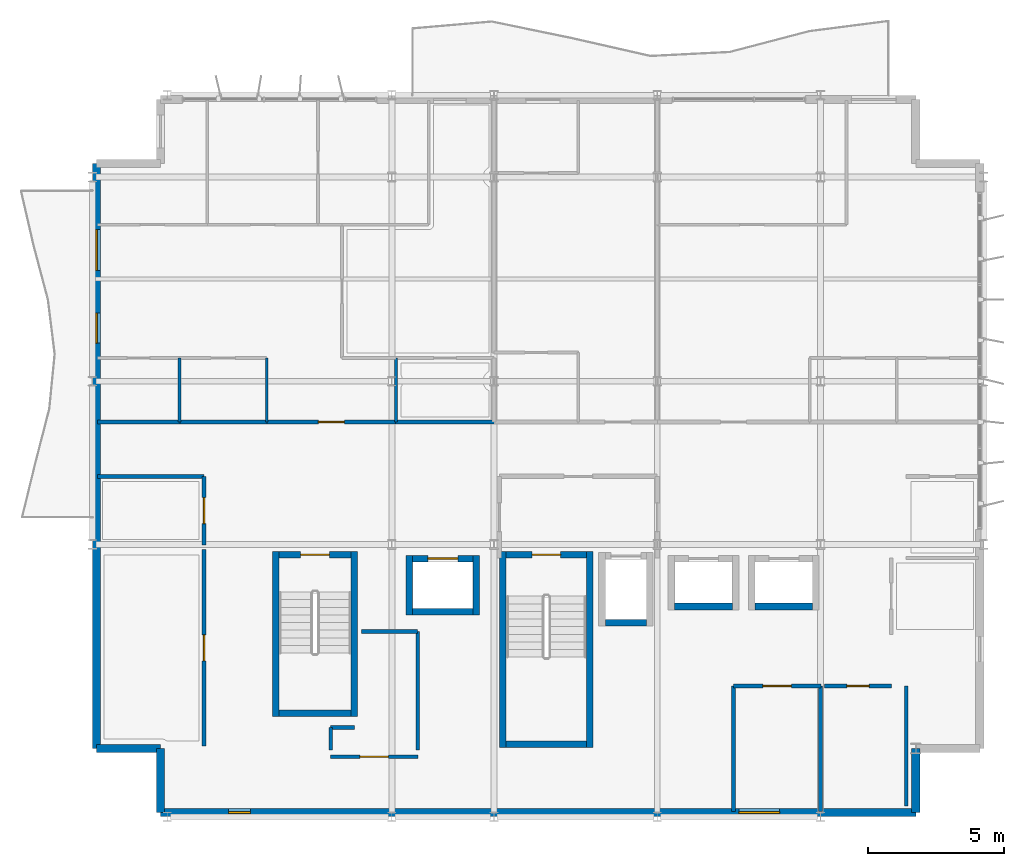
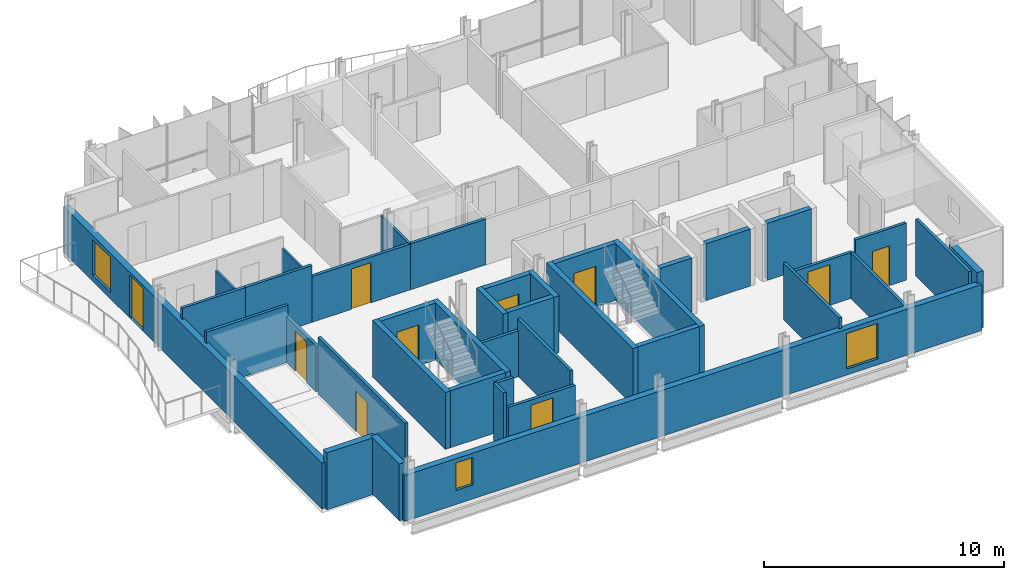
# One storey, part 8 of 13: 40 walls, 10 doors, 3 windows, 13 openings.
"""IFC4 building model written with IfcOpenShell, lengths in metres."""

from ifc_helpers import new_model, si_unit, direction, frame, frame_2d, origin, place, context, subcontext, project, spatial, rectangle, extrude, material, layer, layer_set, type_object, element, fill, save


model = new_model("IFC4")

# Units and contexts
model_context = context("Model", 3, precision=1e-05, world=origin(), true_north=direction((0.0, 1.0)))
body_context = subcontext(model_context, "Body", "Model", "MODEL_VIEW")
ifc_project = project(units=[si_unit("LENGTHUNIT", "METRE"), si_unit("AREAUNIT", "SQUARE_METRE"), si_unit("VOLUMEUNIT", "CUBIC_METRE"), si_unit("PLANEANGLEUNIT", "RADIAN"), si_unit("MASSUNIT", "GRAM", prefix="KILO")], contexts=[model_context])

# Site, building, storey
site_placement = place(None, origin())
site = spatial("IfcSite", under=ifc_project, at=site_placement, CompositionType="ELEMENT")
building_placement = place(site_placement, origin())
building = spatial("IfcBuilding", under=site, at=building_placement, Name="Brevholm Reach", CompositionType="ELEMENT")
storey_placement = place(building_placement, frame((0.0, 0.0, 224.199951171875)))
storey = spatial("IfcBuildingStorey", under=building, at=storey_placement, Name="L68", CompositionType="ELEMENT", Elevation=224.199951171875)

# Walls
ifc_material_1 = material(Name="Concrete C45/55", Category="concrete")
ifc_layer_1 = layer(ifc_material_1, 0.239990234375)
ifc_layer_set_1 = layer_set([ifc_layer_1], Name="Concrete C45/55")
wall_type_1 = type_object("IfcWallType", Name="WAL-COR-240", PredefinedType="SHEAR", material=ifc_layer_set_1)
for number, where, z_axis, x_axis, name in (
    (1, (42.330078125, 2.5400390625, 0.0), (0.0, 0.0, 1.0), (0.0, 1.0, 0.0), "L68 Escape Stair ST-2 Core Wall W"),
    (2, (45.52001953125, 2.5400390625, 0.0), (0.0, 0.0, 1.0), (0.0, 1.0, 0.0), "L68 Escape Stair ST-2 Core Wall E"),
):
    element("IfcWall", number, at=place(storey_placement, frame(where, z_axis=z_axis, x_axis=x_axis)), inside=storey, type_object=wall_type_1, Name=name, PredefinedType="SHEAR", context=body_context, shape_type="SweptSolid", body=[
        extrude(rectangle(XDim=7.199951171875, YDim=0.239990234375, at=frame_2d((3.60009765625, 0.0))), origin(), (0.0, 0.0, 1.0), 2.89013671875),
    ])
wall_1_placement = place(storey_placement, frame((42.449951171875, 2.659912109375, 0.0), z_axis=(0.0, 0.0, 1.0), x_axis=(1.0, 0.0, 0.0)))
element("IfcWall", 3, at=wall_1_placement, inside=storey, type_object=wall_type_1, Name="L68 Escape Stair ST-2 Core Wall S", PredefinedType="SHEAR", context=body_context, shape_type="SweptSolid", body=[
    extrude(rectangle(XDim=2.949951171875, YDim=0.239990234375, at=frame_2d((1.47509765625, 0.0))), origin(), (0.0, 0.0, 1.0), 2.89013671875),
])

# Wall, opening, door
wall_2_placement = place(storey_placement, frame((45.39990234375, 9.6201171875, 0.0), z_axis=(0.0, 0.0, 1.0), x_axis=(-1.0, 0.0, 0.0)))
wall_2 = element("IfcWall", 4, at=wall_2_placement, inside=storey, type_object=wall_type_1, Name="L68 Escape Stair ST-2 Core Wall N", PredefinedType="SHEAR", context=body_context, shape_type="SweptSolid", body=[
    extrude(rectangle(XDim=2.949951171875, YDim=0.239990234375, at=frame_2d((1.47509765625, 0.0))), origin(), (0.0, 0.0, 1.0), 2.89013671875),
])
opening_1_placement = place(wall_2_placement, frame((0.949951171875, 0.0, 0.0)))
opening_1 = element("IfcOpeningElement", 5, at=opening_1_placement, cuts=wall_2, Name="Opening SD-ST-2", PredefinedType="OPENING", context=body_context, shape_type="SweptSolid", body=[
    extrude(rectangle(XDim=1.050048828125, YDim=2.06005859375, at=frame_2d((0.52490234375, 1.030029296875))), frame((0.0, 0.1298828125, 0.0), z_axis=(0.0, -1.0, 0.0), x_axis=(1.0, 0.0, 0.0)), (0.0, 0.0, 1.0), 0.260009765625),
])
ifc_material_2 = material(Name="Hardwood-Lipped Steel-Core Fire and Smoke Door", Category="steel")
door_type_1 = type_object("IfcDoorType", Name="DOR-INT-FD60S", OperationType="NOTDEFINED", PredefinedType="DOOR", material=ifc_material_2)
door_1_placement = place(opening_1_placement, origin())
door_1 = element("IfcDoor", 6, at=door_1_placement, inside=storey, type_object=door_type_1, Name="L68 Protected Stair ST-2 Lobby Door", OperationType="SINGLE_SWING_LEFT", OverallHeight=2.06005859375, OverallWidth=1.050048828125, PredefinedType="DOOR", context=body_context, shape_type="SweptSolid", body=[
    extrude(rectangle(XDim=1.050048828125, YDim=2.06005859375, at=frame_2d((0.52490234375, 1.030029296875))), frame((0.0, 0.02490234375, 0.0), z_axis=(0.0, -1.0, 0.0), x_axis=(1.0, 0.0, 0.0)), (0.0, 0.0, 1.0), 0.050048828125),
])
fill(opening_1, door_1)

# Walls
for number, where, z_axis, x_axis, name in (
    (7, (33.97998046875, 3.679931640625, 0.0), (0.0, 0.0, 1.0), (0.0, 1.0, 0.0), "L68 Escape Stair ST-3 Core Wall W"),
    (8, (36.8701171875, 3.679931640625, 0.0), (0.0, 0.0, 1.0), (0.0, 1.0, 0.0), "L68 Escape Stair ST-3 Core Wall E"),
):
    element("IfcWall", number, at=place(storey_placement, frame(where, z_axis=z_axis, x_axis=x_axis)), inside=storey, type_object=wall_type_1, Name=name, PredefinedType="SHEAR", context=body_context, shape_type="SweptSolid", body=[
        extrude(rectangle(XDim=6.06005859375, YDim=0.239990234375, at=frame_2d((3.030029296875, 0.0))), origin(), (0.0, 0.0, 1.0), 2.89013671875),
    ])
wall_3_placement = place(storey_placement, frame((34.10009765625, 3.800048828125, 0.0), z_axis=(0.0, 0.0, 1.0), x_axis=(1.0, 0.0, 0.0)))
element("IfcWall", 9, at=wall_3_placement, inside=storey, type_object=wall_type_1, Name="L68 Escape Stair ST-3 Core Wall S", PredefinedType="SHEAR", context=body_context, shape_type="SweptSolid", body=[
    extrude(rectangle(XDim=2.64990234375, YDim=0.239990234375, at=frame_2d((1.324951171875, 0.0))), origin(), (0.0, 0.0, 1.0), 2.89013671875),
])

# Wall, opening, door
wall_4_placement = place(storey_placement, frame((36.75, 9.6201171875, 0.0), z_axis=(0.0, 0.0, 1.0), x_axis=(-1.0, 0.0, 0.0)))
wall_4 = element("IfcWall", 10, at=wall_4_placement, inside=storey, type_object=wall_type_1, Name="L68 Escape Stair ST-3 Core Wall N", PredefinedType="SHEAR", context=body_context, shape_type="SweptSolid", body=[
    extrude(rectangle(XDim=2.64990234375, YDim=0.239990234375, at=frame_2d((1.324951171875, 0.0))), origin(), (0.0, 0.0, 1.0), 2.89013671875),
])
opening_2_placement = place(wall_4_placement, frame((0.800048828125, 0.0, 0.0)))
opening_2 = element("IfcOpeningElement", 11, at=opening_2_placement, cuts=wall_4, Name="Opening SD-ST-3", PredefinedType="OPENING", context=body_context, shape_type="SweptSolid", body=[
    extrude(rectangle(XDim=1.050048828125, YDim=2.06005859375, at=frame_2d((0.52490234375, 1.030029296875))), frame((0.0, 0.1298828125, 0.0), z_axis=(0.0, -1.0, 0.0), x_axis=(1.0, 0.0, 0.0)), (0.0, 0.0, 1.0), 0.260009765625),
])
door_2_placement = place(opening_2_placement, origin())
door_2 = element("IfcDoor", 12, at=door_2_placement, inside=storey, type_object=door_type_1, Name="L68 Protected Stair ST-3 Lobby Door", OperationType="SINGLE_SWING_LEFT", OverallHeight=2.06005859375, OverallWidth=1.050048828125, PredefinedType="DOOR", context=body_context, shape_type="SweptSolid", body=[
    extrude(rectangle(XDim=1.050048828125, YDim=2.06005859375, at=frame_2d((0.52490234375, 1.030029296875))), frame((0.0, 0.02490234375, 0.0), z_axis=(0.0, -1.0, 0.0), x_axis=(1.0, 0.0, 0.0)), (0.0, 0.0, 1.0), 0.050048828125),
])
fill(opening_2, door_2)

# Walls
wall_5_placement = place(storey_placement, frame((46.090087890625, 7.1201171875, 0.0), z_axis=(0.0, 0.0, 1.0), x_axis=(1.0, 0.0, 0.0)))
element("IfcWall", 13, at=wall_5_placement, inside=storey, type_object=wall_type_1, Name="L68 Lift FFL-2 Shaft Wall S", PredefinedType="SHEAR", context=body_context, shape_type="SweptSolid", body=[
    extrude(rectangle(XDim=1.52001953125, YDim=0.239990234375, at=frame_2d((0.760009765625, 0.0))), origin(), (0.0, 0.0, 1.0), 2.89013671875),
])
for number, where, z_axis, x_axis, name in (
    (14, (38.889892578125, 7.39990234375, 0.0), (0.0, 0.0, 1.0), (0.0, 1.0, 0.0), "L68 Lift PL-S1 Shaft Wall W"),
    (15, (41.35009765625, 7.39990234375, 0.0), (0.0, 0.0, 1.0), (0.0, 1.0, 0.0), "L68 Lift PL-S1 Shaft Wall E"),
):
    element("IfcWall", number, at=place(storey_placement, frame(where, z_axis=z_axis, x_axis=x_axis)), inside=storey, type_object=wall_type_1, Name=name, PredefinedType="SHEAR", context=body_context, shape_type="SweptSolid", body=[
        extrude(rectangle(XDim=2.2001953125, YDim=0.239990234375, at=frame_2d((1.10009765625, 0.0))), origin(), (0.0, 0.0, 1.0), 2.89013671875),
    ])
wall_6_placement = place(storey_placement, frame((39.010009765625, 7.52001953125, 0.0), z_axis=(0.0, 0.0, 1.0), x_axis=(1.0, 0.0, 0.0)))
element("IfcWall", 16, at=wall_6_placement, inside=storey, type_object=wall_type_1, Name="L68 Lift PL-S1 Shaft Wall S", PredefinedType="SHEAR", context=body_context, shape_type="SweptSolid", body=[
    extrude(rectangle(XDim=2.219970703125, YDim=0.239990234375, at=frame_2d((1.10986328125, 0.0))), origin(), (0.0, 0.0, 1.0), 2.89013671875),
])

# Wall, opening, door
wall_7_placement = place(storey_placement, frame((39.010009765625, 9.47998046875, 0.0), z_axis=(0.0, 0.0, 1.0), x_axis=(1.0, 0.0, 0.0)))
wall_7 = element("IfcWall", 17, at=wall_7_placement, inside=storey, type_object=wall_type_1, Name="L68 Lift PL-S1 Shaft Wall N", PredefinedType="SHEAR", context=body_context, shape_type="SweptSolid", body=[
    extrude(rectangle(XDim=2.219970703125, YDim=0.239990234375, at=frame_2d((1.10986328125, 0.0))), origin(), (0.0, 0.0, 1.0), 2.89013671875),
])
opening_3_placement = place(wall_7_placement, frame((0.56005859375, 0.0, 0.0)))
opening_3 = element("IfcOpeningElement", 18, at=opening_3_placement, cuts=wall_7, Name="Opening LD-PL-S1", PredefinedType="OPENING", context=body_context, shape_type="SweptSolid", body=[
    extrude(rectangle(XDim=1.10009765625, YDim=2.06005859375, at=frame_2d((0.550048828125, 1.030029296875))), frame((0.0, 0.1298828125, 0.0), z_axis=(0.0, -1.0, 0.0), x_axis=(1.0, 0.0, 0.0)), (0.0, 0.0, 1.0), 0.260009765625),
])
ifc_material_3 = material(Name="Brushed Stainless Steel Fire-Rated Sliding Lift Door", Category="steel")
door_type_2 = type_object("IfcDoorType", Name="DOR-LFT-1100", OperationType="NOTDEFINED", PredefinedType="DOOR", material=ifc_material_3)
door_3_placement = place(opening_3_placement, origin())
door_3 = element("IfcDoor", 19, at=door_3_placement, inside=storey, type_object=door_type_2, Name="L68 Lift PL-S1 Sliding Landing Door", OperationType="SLIDING_TO_RIGHT", OverallHeight=2.06005859375, OverallWidth=1.10009765625, PredefinedType="DOOR", context=body_context, shape_type="SweptSolid", body=[
    extrude(rectangle(XDim=1.10009765625, YDim=2.06005859375, at=frame_2d((0.550048828125, 1.030029296875))), frame((0.0, 0.02490234375, 0.0), z_axis=(0.0, -1.0, 0.0), x_axis=(1.0, 0.0, 0.0)), (0.0, 0.0, 1.0), 0.050048828125),
])
fill(opening_3, door_3)

# Walls
wall_8_placement = place(storey_placement, frame((48.639892578125, 7.719970703125, 0.0), z_axis=(0.0, 0.0, 1.0), x_axis=(1.0, 0.0, 0.0)))
element("IfcWall", 20, at=wall_8_placement, inside=storey, type_object=wall_type_1, Name="L68 Lift PL-H1 Shaft Wall S", PredefinedType="SHEAR", context=body_context, shape_type="SweptSolid", body=[
    extrude(rectangle(XDim=2.1201171875, YDim=0.239990234375, at=frame_2d((1.06005859375, 0.0))), origin(), (0.0, 0.0, 1.0), 2.89013671875),
])
wall_9_placement = place(storey_placement, frame((51.590087890625, 7.719970703125, 0.0), z_axis=(0.0, 0.0, 1.0), x_axis=(1.0, 0.0, 0.0)))
element("IfcWall", 21, at=wall_9_placement, inside=storey, type_object=wall_type_1, Name="L68 Lift PL-H2 Shaft Wall S", PredefinedType="SHEAR", context=body_context, shape_type="SweptSolid", body=[
    extrude(rectangle(XDim=2.119873046875, YDim=0.239990234375, at=frame_2d((1.06005859375, 0.0))), origin(), (0.0, 0.0, 1.0), 2.89013671875),
])
ifc_material_4 = material(Name="Concrete C40/50", Category="concrete")
ifc_layer_2 = layer(ifc_material_4, 0.300048828125)
ifc_layer_set_2 = layer_set([ifc_layer_2], Name="Concrete C40/50")
wall_type_2 = type_object("IfcWallType", Name="WAL-EXT-300", PredefinedType="STANDARD", material=ifc_layer_set_2)
for number, where, z_axis, x_axis, name in (
    (22, (29.75, 2.5, 0.0), (0.0, 0.0, 1.0), (0.0, -1.0, 0.0), "L68 Facade Wall WAL-L68-CSW1"),
    (23, (27.39990234375, 2.5, 0.0), (0.0, 0.0, 1.0), (1.0, 0.0, 0.0), "L68 Facade Wall WAL-L68-CSW2"),
    (24, (57.5, 0.14990234375, 0.0), (0.0, 0.0, 1.0), (0.0, 1.0, 0.0), "L68 Facade Wall WAL-L68-CSE1"),
):
    element("IfcWall", number, at=place(storey_placement, frame(where, z_axis=z_axis, x_axis=x_axis)), inside=storey, type_object=wall_type_2, Name=name, PredefinedType="STANDARD", context=body_context, shape_type="SweptSolid", body=[
        extrude(rectangle(XDim=2.35009765625, YDim=0.300048828125, at=frame_2d((1.175048828125, 0.0))), origin(), (0.0, 0.0, 1.0), 2.89013671875),
    ])

# Wall, openings, windows
wall_10_placement = place(storey_placement, frame((29.75, 0.14990234375, 0.0), z_axis=(0.0, 0.0, 1.0), x_axis=(1.0, 0.0, 0.0)))
wall_10 = element("IfcWall", 25, at=wall_10_placement, inside=storey, type_object=wall_type_2, Name="L68 Facade Wall WAL-L68-S", PredefinedType="STANDARD", context=body_context, shape_type="SweptSolid", body=[
    extrude(rectangle(XDim=27.75, YDim=0.300048828125, at=frame_2d((13.875, 0.0))), origin(), (0.0, 0.0, 1.0), 2.33203125),
])
opening_4_placement = place(wall_10_placement, frame((2.5, 0.0, 0.7119140625)))
opening_4 = element("IfcOpeningElement", 26, at=opening_4_placement, cuts=wall_10, Name="Opening WN-11", PredefinedType="OPENING", context=body_context, shape_type="SweptSolid", body=[
    extrude(rectangle(XDim=0.800048828125, YDim=1.39990234375, at=frame_2d((0.39990234375, 0.699951171875))), frame((0.0, 0.159912109375, 0.0), z_axis=(0.0, -1.0, 0.0), x_axis=(1.0, 0.0, 0.0)), (0.0, 0.0, 1.0), 0.320068359375),
])
opening_5_placement = place(wall_10_placement, frame((21.25, 0.0, 0.31201171875)))
opening_5 = element("IfcOpeningElement", 27, at=opening_5_placement, cuts=wall_10, Name="Opening WN-05", PredefinedType="OPENING", context=body_context, shape_type="SweptSolid", body=[
    extrude(rectangle(XDim=1.5, YDim=1.800048828125, at=frame_2d((0.75, 0.89990234375))), frame((0.0, 0.159912109375, 0.0), z_axis=(0.0, -1.0, 0.0), x_axis=(1.0, 0.0, 0.0)), (0.0, 0.0, 1.0), 0.320068359375),
])
ifc_material_5 = material(Name="Dark Anodised Aluminium and Solar-Control IGU Glass", Category="aluminium")
window_type_1 = type_object("IfcWindowType", Name="WIN-COR-0800", PartitioningType="SINGLE_PANEL", PredefinedType="WINDOW", material=ifc_material_5)
window_1_placement = place(opening_4_placement, origin())
window_1 = element("IfcWindow", 28, at=window_1_placement, inside=storey, type_object=window_type_1, Name="L68 Window WIN-L68-S-1", OverallHeight=1.39990234375, OverallWidth=0.800048828125, PartitioningType="SINGLE_PANEL", PredefinedType="WINDOW", context=body_context, shape_type="SweptSolid", body=[
    extrude(rectangle(XDim=0.800048828125, YDim=1.39990234375, at=frame_2d((0.39990234375, 0.699951171875))), frame((0.0, 0.030029296875, 0.0), z_axis=(0.0, -1.0, 0.0), x_axis=(1.0, 0.0, 0.0)), (0.0, 0.0, 1.0), 0.06005859375),
])
fill(opening_4, window_1)
ifc_material_6 = material(Name="Dark Anodised Aluminium and Solar-Control IGU Glass", Category="aluminium")
window_type_2 = type_object("IfcWindowType", Name="WIN-RES-1500", PartitioningType="SINGLE_PANEL", PredefinedType="WINDOW", material=ifc_material_6)
window_2_placement = place(opening_5_placement, origin())
window_2 = element("IfcWindow", 29, at=window_2_placement, inside=storey, type_object=window_type_2, Name="L68 Window WIN-L68-S-2", OverallHeight=1.800048828125, OverallWidth=1.5, PartitioningType="SINGLE_PANEL", PredefinedType="WINDOW", context=body_context, shape_type="SweptSolid", body=[
    extrude(rectangle(XDim=1.5, YDim=1.800048828125, at=frame_2d((0.75, 0.89990234375))), frame((0.0, 0.030029296875, 0.0), z_axis=(0.0, -1.0, 0.0), x_axis=(1.0, 0.0, 0.0)), (0.0, 0.0, 1.0), 0.06005859375),
])
fill(opening_5, window_2)

# Wall, openings, door, window
wall_11_placement = place(storey_placement, frame((27.39990234375, 24.0, 0.0), z_axis=(0.0, 0.0, 1.0), x_axis=(0.0, -1.0, 0.0)))
wall_11 = element("IfcWall", 30, at=wall_11_placement, inside=storey, type_object=wall_type_2, Name="L68 Facade Wall WAL-L68-W", PredefinedType="STANDARD", context=body_context, shape_type="SweptSolid", body=[
    extrude(rectangle(XDim=21.5, YDim=0.300048828125, at=frame_2d((10.75, 0.0))), origin(), (0.0, 0.0, 1.0), 2.33203125),
])
opening_6_placement = place(wall_11_placement, frame((5.5, 0.0, 0.0)))
opening_6 = element("IfcOpeningElement", 31, at=opening_6_placement, cuts=wall_11, Name="Opening BD-01", PredefinedType="OPENING", context=body_context, shape_type="SweptSolid", body=[
    extrude(rectangle(XDim=1.10009765625, YDim=2.199951171875, at=frame_2d((0.550048828125, 1.10009765625))), frame((0.0, 0.159912109375, 0.0), z_axis=(0.0, -1.0, 0.0), x_axis=(1.0, 0.0, 0.0)), (0.0, 0.0, 1.0), 0.320068359375),
])
opening_7_placement = place(wall_11_placement, frame((2.429931640625, 0.0, 0.31201171875)))
opening_7 = element("IfcOpeningElement", 32, at=opening_7_placement, cuts=wall_11, Name="Opening WN-05", PredefinedType="OPENING", context=body_context, shape_type="SweptSolid", body=[
    extrude(rectangle(XDim=1.5, YDim=1.800048828125, at=frame_2d((0.75, 0.89990234375))), frame((0.0, 0.159912109375, 0.0), z_axis=(0.0, -1.0, 0.0), x_axis=(1.0, 0.0, 0.0)), (0.0, 0.0, 1.0), 0.320068359375),
])
ifc_material_7 = material(Name="Dark Anodised Aluminium and Triple-Glazed Glass", Category="aluminium")
door_type_3 = type_object("IfcDoorType", Name="DOR-BALC-1100", OperationType="NOTDEFINED", PredefinedType="DOOR", material=ifc_material_7)
door_4_placement = place(opening_6_placement, origin())
door_4 = element("IfcDoor", 33, at=door_4_placement, inside=storey, type_object=door_type_3, Name="L68 Exterior Door DOR-L68-SLOT", OperationType="SINGLE_SWING_LEFT", OverallHeight=2.199951171875, OverallWidth=1.10009765625, PredefinedType="DOOR", context=body_context, shape_type="SweptSolid", body=[
    extrude(rectangle(XDim=1.10009765625, YDim=2.199951171875, at=frame_2d((0.550048828125, 1.10009765625))), frame((0.0, 0.02490234375, 0.0), z_axis=(0.0, -1.0, 0.0), x_axis=(1.0, 0.0, 0.0)), (0.0, 0.0, 1.0), 0.050048828125),
])
fill(opening_6, door_4)
window_3_placement = place(opening_7_placement, origin())
window_3 = element("IfcWindow", 34, at=window_3_placement, inside=storey, type_object=window_type_2, Name="L68 Window WIN-L68-W-1", OverallHeight=1.800048828125, OverallWidth=1.5, PartitioningType="SINGLE_PANEL", PredefinedType="WINDOW", context=body_context, shape_type="SweptSolid", body=[
    extrude(rectangle(XDim=1.5, YDim=1.800048828125, at=frame_2d((0.75, 0.89990234375))), frame((0.0, 0.030029296875, 0.0), z_axis=(0.0, -1.0, 0.0), x_axis=(1.0, 0.0, 0.0)), (0.0, 0.0, 1.0), 0.06005859375),
])
fill(opening_7, window_3)

# Walls
ifc_material_8 = material(Name="Moisture-Resistant Acoustic Gypsum Stud Partition 100 mm", Category="gypsum")
ifc_layer_3 = layer(ifc_material_8, 0.10009765625)
ifc_layer_set_3 = layer_set([ifc_layer_3], Name="Moisture-Resistant Acoustic Gypsum Stud Partition 100 mm")
wall_type_3 = type_object("IfcWallType", Name="WAL-PRT-100", PredefinedType="PARTITIONING", material=ifc_layer_set_3)
for number, where, z_axis, x_axis, name in (
    (35, (30.449951171875, 14.50390625, 0.0), (0.0, 0.0, 1.0), (0.0, 1.0, 0.0), "L68 Internal Partition 024"),
    (36, (33.64990234375, 14.50390625, 0.0), (0.0, 0.0, 1.0), (0.0, 1.0, 0.0), "L68 Internal Partition 026"),
    (37, (38.39990234375, 14.50390625, 0.0), (0.0, 0.0, 1.0), (0.0, 1.0, 0.0), "L68 Internal Partition 029"),
):
    element("IfcWall", number, at=place(storey_placement, frame(where, z_axis=z_axis, x_axis=x_axis)), inside=storey, type_object=wall_type_3, Name=name, PredefinedType="PARTITIONING", context=body_context, shape_type="SweptSolid", body=[
        extrude(rectangle(XDim=2.34619140625, YDim=0.10009765625, at=frame_2d((1.173095703125, 0.0))), origin(), (0.0, 0.0, 1.0), 2.325439453125),
    ])

# Wall, opening, door
ifc_material_9 = material(Name="Twin-Stud Acoustic Fire-Rated Gypsum Partition 140 mm", Category="gypsum")
ifc_layer_4 = layer(ifc_material_9, 0.139892578125)
ifc_layer_set_4 = layer_set([ifc_layer_4], Name="Twin-Stud Acoustic Fire-Rated Gypsum Partition 140 mm")
wall_type_4 = type_object("IfcWallType", Name="WAL-PRT-140", PredefinedType="PARTITIONING", material=ifc_layer_set_4)
wall_12_placement = place(storey_placement, frame((31.35009765625, 2.588623046875, 0.0), z_axis=(0.0, 0.0, 1.0), x_axis=(0.0, 1.0, 0.0)))
wall_12 = element("IfcWall", 38, at=wall_12_placement, inside=storey, type_object=wall_type_4, Name="L68 Internal Partition 001", PredefinedType="PARTITIONING", context=body_context, shape_type="SweptSolid", body=[
    extrude(rectangle(XDim=7.22265625, YDim=0.139892578125, at=frame_2d((3.611328125, 0.0))), origin(), (0.0, 0.0, 1.0), 2.89013671875),
])
opening_8_placement = place(wall_12_placement, frame((3.13623046875, 0.0, 0.0)))
opening_8 = element("IfcOpeningElement", 39, at=opening_8_placement, cuts=wall_12, Name="Opening ID-30", PredefinedType="OPENING", context=body_context, shape_type="SweptSolid", body=[
    extrude(rectangle(XDim=0.949951171875, YDim=2.050048828125, at=frame_2d((0.47509765625, 1.02490234375))), frame((0.0, 0.079833984375, 0.0), z_axis=(0.0, -1.0, 0.0), x_axis=(1.0, 0.0, 0.0)), (0.0, 0.0, 1.0), 0.159912109375),
])
ifc_material_10 = material(Name="European Oak Veneered Solid-Core Fire Entrance Door", Category="timber")
door_type_4 = type_object("IfcDoorType", Name="DOR-FLT-FD30S", OperationType="NOTDEFINED", PredefinedType="DOOR", material=ifc_material_10)
door_5_placement = place(opening_8_placement, origin())
door_5 = element("IfcDoor", 40, at=door_5_placement, inside=storey, type_object=door_type_4, Name="L68 Internal Door 001", OperationType="SINGLE_SWING_LEFT", OverallHeight=2.050048828125, OverallWidth=0.949951171875, PredefinedType="DOOR", context=body_context, shape_type="SweptSolid", body=[
    extrude(rectangle(XDim=0.949951171875, YDim=2.050048828125, at=frame_2d((0.47509765625, 1.02490234375))), frame((0.0, 0.02490234375, 0.0), z_axis=(0.0, -1.0, 0.0), x_axis=(1.0, 0.0, 0.0)), (0.0, 0.0, 1.0), 0.050048828125),
])
fill(opening_8, door_5)

wall_13_placement = place(storey_placement, frame((31.35009765625, 9.98876953125, 0.0), z_axis=(0.0, 0.0, 1.0), x_axis=(0.0, 1.0, 0.0)))
wall_13 = element("IfcWall", 41, at=wall_13_placement, inside=storey, type_object=wall_type_4, Name="L68 Internal Partition 002", PredefinedType="PARTITIONING", context=body_context, shape_type="SweptSolid", body=[
    extrude(rectangle(XDim=2.51123046875, YDim=0.139892578125, at=frame_2d((1.255615234375, 0.0))), origin(), (0.0, 0.0, 1.0), 2.325439453125),
])
opening_9_placement = place(wall_13_placement, frame((0.78076171875, 0.0, 0.0)))
opening_9 = element("IfcOpeningElement", 42, at=opening_9_placement, cuts=wall_13, Name="Opening ID-30", PredefinedType="OPENING", context=body_context, shape_type="SweptSolid", body=[
    extrude(rectangle(XDim=0.949951171875, YDim=2.050048828125, at=frame_2d((0.47509765625, 1.02490234375))), frame((0.0, 0.079833984375, 0.0), z_axis=(0.0, -1.0, 0.0), x_axis=(1.0, 0.0, 0.0)), (0.0, 0.0, 1.0), 0.159912109375),
])
door_6_placement = place(opening_9_placement, origin())
door_6 = element("IfcDoor", 43, at=door_6_placement, inside=storey, type_object=door_type_4, Name="L68 Internal Door 002", OperationType="SINGLE_SWING_RIGHT", OverallHeight=2.050048828125, OverallWidth=0.949951171875, PredefinedType="DOOR", context=body_context, shape_type="SweptSolid", body=[
    extrude(rectangle(XDim=0.949951171875, YDim=2.050048828125, at=frame_2d((0.47509765625, 1.02490234375))), frame((0.0, 0.02490234375, 0.0), z_axis=(0.0, -1.0, 0.0), x_axis=(1.0, 0.0, 0.0)), (0.0, 0.0, 1.0), 0.050048828125),
])
fill(opening_9, door_6)

wall_14_placement = place(storey_placement, frame((35.98876953125, 2.199951171875, 0.0), z_axis=(0.0, 0.0, 1.0), x_axis=(1.0, 0.0, 0.0)))
wall_14 = element("IfcWall", 44, at=wall_14_placement, inside=storey, type_object=wall_type_4, Name="L68 Internal Partition 003", PredefinedType="PARTITIONING", context=body_context, shape_type="SweptSolid", body=[
    extrude(rectangle(XDim=3.222412109375, YDim=0.139892578125, at=frame_2d((1.611328125, 0.0))), origin(), (0.0, 0.0, 1.0), 2.325439453125),
])
opening_10_placement = place(wall_14_placement, frame((1.086181640625, 0.0, 0.0)))
opening_10 = element("IfcOpeningElement", 45, at=opening_10_placement, cuts=wall_14, Name="Opening FD-01", PredefinedType="OPENING", context=body_context, shape_type="SweptSolid", body=[
    extrude(rectangle(XDim=1.050048828125, YDim=2.06005859375, at=frame_2d((0.52490234375, 1.030029296875))), frame((0.0, 0.079833984375, 0.0), z_axis=(0.0, -1.0, 0.0), x_axis=(1.0, 0.0, 0.0)), (0.0, 0.0, 1.0), 0.159912109375),
])
door_7_placement = place(opening_10_placement, origin())
door_7 = element("IfcDoor", 46, at=door_7_placement, inside=storey, type_object=door_type_1, Name="L68 Internal Door 003", OperationType="SINGLE_SWING_LEFT", OverallHeight=2.06005859375, OverallWidth=1.050048828125, PredefinedType="DOOR", context=body_context, shape_type="SweptSolid", body=[
    extrude(rectangle(XDim=1.050048828125, YDim=2.06005859375, at=frame_2d((0.52490234375, 1.030029296875))), frame((0.0, 0.02490234375, 0.0), z_axis=(0.0, -1.0, 0.0), x_axis=(1.0, 0.0, 0.0)), (0.0, 0.0, 1.0), 0.050048828125),
])
fill(opening_10, door_7)

wall_15_placement = place(storey_placement, frame((50.792724609375, 4.800048828125, 0.0), z_axis=(0.0, 0.0, 1.0), x_axis=(1.0, 0.0, 0.0)))
wall_15 = element("IfcWall", 47, at=wall_15_placement, inside=storey, type_object=wall_type_4, Name="L68 Internal Partition 004", PredefinedType="PARTITIONING", context=body_context, shape_type="SweptSolid", body=[
    extrude(rectangle(XDim=3.218505859375, YDim=0.139892578125, at=frame_2d((1.609375, 0.0))), origin(), (0.0, 0.0, 1.0), 2.325439453125),
])
opening_11_placement = place(wall_15_placement, frame((1.084228515625, 0.0, 0.0)))
opening_11 = element("IfcOpeningElement", 48, at=opening_11_placement, cuts=wall_15, Name="Opening FD-01", PredefinedType="OPENING", context=body_context, shape_type="SweptSolid", body=[
    extrude(rectangle(XDim=1.050048828125, YDim=2.06005859375, at=frame_2d((0.52490234375, 1.030029296875))), frame((0.0, 0.079833984375, 0.0), z_axis=(0.0, -1.0, 0.0), x_axis=(1.0, 0.0, 0.0)), (0.0, 0.0, 1.0), 0.159912109375),
])
door_8_placement = place(opening_11_placement, origin())
door_8 = element("IfcDoor", 49, at=door_8_placement, inside=storey, type_object=door_type_1, Name="L68 Internal Door 004", OperationType="SINGLE_SWING_RIGHT", OverallHeight=2.06005859375, OverallWidth=1.050048828125, PredefinedType="DOOR", context=body_context, shape_type="SweptSolid", body=[
    extrude(rectangle(XDim=1.050048828125, YDim=2.06005859375, at=frame_2d((0.52490234375, 1.030029296875))), frame((0.0, 0.02490234375, 0.0), z_axis=(0.0, -1.0, 0.0), x_axis=(1.0, 0.0, 0.0)), (0.0, 0.0, 1.0), 0.050048828125),
])
fill(opening_11, door_8)

wall_16_placement = place(storey_placement, frame((54.154052734375, 4.800048828125, 0.0), z_axis=(0.0, 0.0, 1.0), x_axis=(1.0, 0.0, 0.0)))
wall_16 = element("IfcWall", 50, at=wall_16_placement, inside=storey, type_object=wall_type_4, Name="L68 Internal Partition 005", PredefinedType="PARTITIONING", context=body_context, shape_type="SweptSolid", body=[
    extrude(rectangle(XDim=2.446044921875, YDim=0.139892578125, at=frame_2d((1.22314453125, 0.0))), origin(), (0.0, 0.0, 1.0), 2.89013671875),
])
opening_12_placement = place(wall_16_placement, frame((0.81298828125, 0.0, 0.0)))
opening_12 = element("IfcOpeningElement", 51, at=opening_12_placement, cuts=wall_16, Name="Opening ID-02", PredefinedType="OPENING", context=body_context, shape_type="SweptSolid", body=[
    extrude(rectangle(XDim=0.820068359375, YDim=2.02001953125, at=frame_2d((0.41015625, 1.010009765625))), frame((0.0, 0.079833984375, 0.0), z_axis=(0.0, -1.0, 0.0), x_axis=(1.0, 0.0, 0.0)), (0.0, 0.0, 1.0), 0.159912109375),
])
ifc_material_11 = material(Name="Moisture-Resistant Painted Timber Fire-Rated Riser and Service Door", Category="wood")
door_type_5 = type_object("IfcDoorType", Name="DOR-SRV-820", OperationType="NOTDEFINED", PredefinedType="DOOR", material=ifc_material_11)
door_9_placement = place(opening_12_placement, origin())
door_9 = element("IfcDoor", 52, at=door_9_placement, inside=storey, type_object=door_type_5, Name="L68 Internal Door 005", OperationType="SINGLE_SWING_LEFT", OverallHeight=2.02001953125, OverallWidth=0.820068359375, PredefinedType="DOOR", context=body_context, shape_type="SweptSolid", body=[
    extrude(rectangle(XDim=0.820068359375, YDim=2.02001953125, at=frame_2d((0.41015625, 1.010009765625))), frame((0.0, 0.02490234375, 0.0), z_axis=(0.0, -1.0, 0.0), x_axis=(1.0, 0.0, 0.0)), (0.0, 0.0, 1.0), 0.050048828125),
])
fill(opening_12, door_9)

# Walls
wall_17_placement = place(storey_placement, frame((50.800048828125, 0.179931640625, 0.0), z_axis=(0.0, 0.0, 1.0), x_axis=(0.0, 1.0, 0.0)))
element("IfcWall", 53, at=wall_17_placement, inside=storey, type_object=wall_type_4, Name="L68 Internal Partition 007", PredefinedType="PARTITIONING", context=body_context, shape_type="SweptSolid", body=[
    extrude(rectangle(XDim=4.615966796875, YDim=0.139892578125, at=frame_2d((2.30810546875, 0.0))), origin(), (0.0, 0.0, 1.0), 2.89013671875),
])
wall_18_placement = place(storey_placement, frame((54.0, 0.179931640625, 0.0), z_axis=(0.0, 0.0, 1.0), x_axis=(0.0, 1.0, 0.0)))
element("IfcWall", 54, at=wall_18_placement, inside=storey, type_object=wall_type_4, Name="L68 Internal Partition 008", PredefinedType="PARTITIONING", context=body_context, shape_type="SweptSolid", body=[
    extrude(rectangle(XDim=4.615966796875, YDim=0.139892578125, at=frame_2d((2.30810546875, 0.0))), origin(), (0.0, 0.0, 1.0), 2.325439453125),
])
wall_19_placement = place(storey_placement, frame((27.429931640625, 12.5, 0.0), z_axis=(0.0, 0.0, 1.0), x_axis=(1.0, 0.0, 0.0)))
element("IfcWall", 55, at=wall_19_placement, inside=storey, type_object=wall_type_4, Name="L68 Internal Partition 014", PredefinedType="PARTITIONING", context=body_context, shape_type="SweptSolid", body=[
    extrude(rectangle(XDim=3.916015625, YDim=0.139892578125, at=frame_2d((1.9580078125, 0.0))), origin(), (0.0, 0.0, 1.0), 2.89013671875),
])
wall_20_placement = place(storey_placement, frame((27.429931640625, 14.5, 0.0), z_axis=(0.0, 0.0, 1.0), x_axis=(1.0, 0.0, 0.0)))
element("IfcWall", 56, at=wall_20_placement, inside=storey, type_object=wall_type_4, Name="L68 Internal Partition 015", PredefinedType="PARTITIONING", context=body_context, shape_type="SweptSolid", body=[
    extrude(rectangle(XDim=3.03125, YDim=0.139892578125, at=frame_2d((1.515625, 0.0))), origin(), (0.0, 0.0, 1.0), 2.89013671875),
])
wall_21_placement = place(storey_placement, frame((30.442626953125, 14.5, 0.0), z_axis=(0.0, 0.0, 1.0), x_axis=(1.0, 0.0, 0.0)))
element("IfcWall", 57, at=wall_21_placement, inside=storey, type_object=wall_type_4, Name="L68 Internal Partition 016", PredefinedType="PARTITIONING", context=body_context, shape_type="SweptSolid", body=[
    extrude(rectangle(XDim=3.21875, YDim=0.139892578125, at=frame_2d((1.609375, 0.0))), origin(), (0.0, 0.0, 1.0), 2.89013671875),
])
wall_22_placement = place(storey_placement, frame((38.388671875, 14.5, 0.0), z_axis=(0.0, 0.0, 1.0), x_axis=(1.0, 0.0, 0.0)))
element("IfcWall", 58, at=wall_22_placement, inside=storey, type_object=wall_type_4, Name="L68 Internal Partition 017", PredefinedType="PARTITIONING", context=body_context, shape_type="SweptSolid", body=[
    extrude(rectangle(XDim=3.62255859375, YDim=0.139892578125, at=frame_2d((1.811279296875, 0.0))), origin(), (0.0, 0.0, 1.0), 2.325439453125),
])

# Wall, opening, door
wall_23_placement = place(storey_placement, frame((33.642578125, 14.5, 0.0), z_axis=(0.0, 0.0, 1.0), x_axis=(1.0, 0.0, 0.0)))
wall_23 = element("IfcWall", 59, at=wall_23_placement, inside=storey, type_object=wall_type_4, Name="L68 Internal Partition 018", PredefinedType="PARTITIONING", context=body_context, shape_type="SweptSolid", body=[
    extrude(rectangle(XDim=4.7646484375, YDim=0.139892578125, at=frame_2d((2.38232421875, 0.0))), origin(), (0.0, 0.0, 1.0), 2.325439453125),
])
opening_13_placement = place(wall_23_placement, frame((1.9072265625, 0.0, 0.0)))
opening_13 = element("IfcOpeningElement", 60, at=opening_13_placement, cuts=wall_23, Name="Opening ID-30", PredefinedType="OPENING", context=body_context, shape_type="SweptSolid", body=[
    extrude(rectangle(XDim=0.949951171875, YDim=2.050048828125, at=frame_2d((0.47509765625, 1.02490234375))), frame((0.0, 0.079833984375, 0.0), z_axis=(0.0, -1.0, 0.0), x_axis=(1.0, 0.0, 0.0)), (0.0, 0.0, 1.0), 0.159912109375),
])
door_10_placement = place(opening_13_placement, origin())
door_10 = element("IfcDoor", 61, at=door_10_placement, inside=storey, type_object=door_type_4, Name="L68 Internal Door 011", OperationType="SINGLE_SWING_LEFT", OverallHeight=2.050048828125, OverallWidth=0.949951171875, PredefinedType="DOOR", context=body_context, shape_type="SweptSolid", body=[
    extrude(rectangle(XDim=0.949951171875, YDim=2.050048828125, at=frame_2d((0.47509765625, 1.02490234375))), frame((0.0, 0.02490234375, 0.0), z_axis=(0.0, -1.0, 0.0), x_axis=(1.0, 0.0, 0.0)), (0.0, 0.0, 1.0), 0.050048828125),
])
fill(opening_13, door_10)

# Walls
wall_24_placement = place(storey_placement, frame((39.199951171875, 2.43994140625, 0.0), z_axis=(0.0, 0.0, 1.0), x_axis=(0.0, 1.0, 0.0)))
element("IfcWall", 62, at=wall_24_placement, inside=storey, type_object=wall_type_4, Name="L68 Internal Partition 054", PredefinedType="PARTITIONING", context=body_context, shape_type="SweptSolid", body=[
    extrude(rectangle(XDim=4.360107421875, YDim=0.139892578125, at=frame_2d((2.18017578125, 0.0))), origin(), (0.0, 0.0, 1.0), 2.89013671875),
])
wall_25_placement = place(storey_placement, frame((37.139892578125, 6.800048828125, 0.0), z_axis=(0.0, 0.0, 1.0), x_axis=(1.0, 0.0, 0.0)))
element("IfcWall", 63, at=wall_25_placement, inside=storey, type_object=wall_type_4, Name="L68 Internal Partition 055", PredefinedType="PARTITIONING", context=body_context, shape_type="SweptSolid", body=[
    extrude(rectangle(XDim=2.06005859375, YDim=0.139892578125, at=frame_2d((1.030029296875, 0.0))), origin(), (0.0, 0.0, 1.0), 2.325439453125),
])
wall_26_placement = place(storey_placement, frame((36.0, 3.27587890625, 0.0), z_axis=(0.0, 0.0, 1.0), x_axis=(1.0, 0.0, 0.0)))
element("IfcWall", 64, at=wall_26_placement, inside=storey, type_object=wall_type_4, Name="L68 Internal Partition 056", PredefinedType="PARTITIONING", context=body_context, shape_type="SweptSolid", body=[
    extrude(rectangle(XDim=0.8701171875, YDim=0.139892578125, at=frame_2d((0.43505859375, 0.0))), origin(), (0.0, 0.0, 1.0), 2.89013671875),
])
wall_27_placement = place(storey_placement, frame((36.0, 2.43994140625, 0.0), z_axis=(0.0, 0.0, 1.0), x_axis=(0.0, 1.0, 0.0)))
element("IfcWall", 65, at=wall_27_placement, inside=storey, type_object=wall_type_4, Name="L68 Internal Partition 057", PredefinedType="PARTITIONING", context=body_context, shape_type="SweptSolid", body=[
    extrude(rectangle(XDim=0.8359375, YDim=0.139892578125, at=frame_2d((0.41796875, 0.0))), origin(), (0.0, 0.0, 1.0), 2.89013671875),
])
wall_28_placement = place(storey_placement, frame((57.14990234375, 0.389892578125, 0.0), z_axis=(0.0, 0.0, 1.0), x_axis=(0.0, 1.0, 0.0)))
element("IfcWall", 66, at=wall_28_placement, inside=storey, type_object=wall_type_4, Name="L68 Internal Partition 058", PredefinedType="PARTITIONING", context=body_context, shape_type="SweptSolid", body=[
    extrude(rectangle(XDim=4.41015625, YDim=0.139892578125, at=frame_2d((2.205078125, 0.0))), origin(), (0.0, 0.0, 1.0), 2.89013671875),
])

save(model, "model.ifc")
